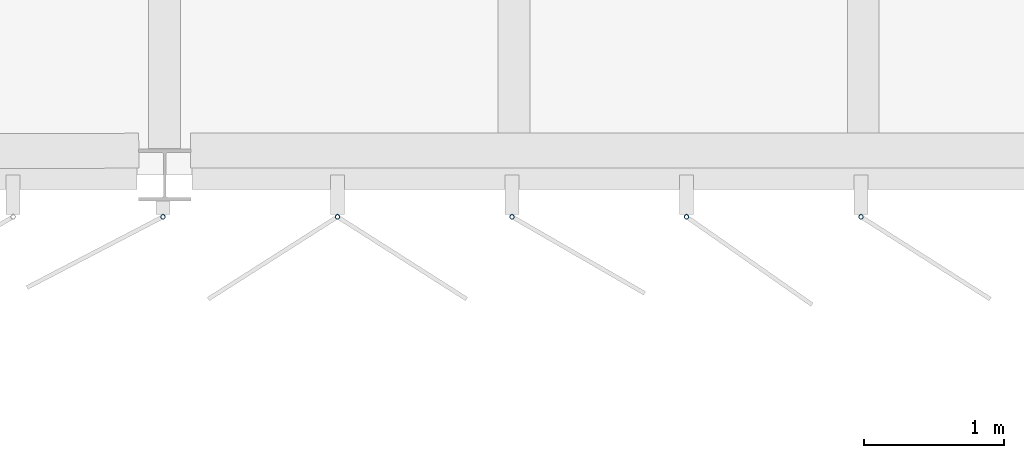
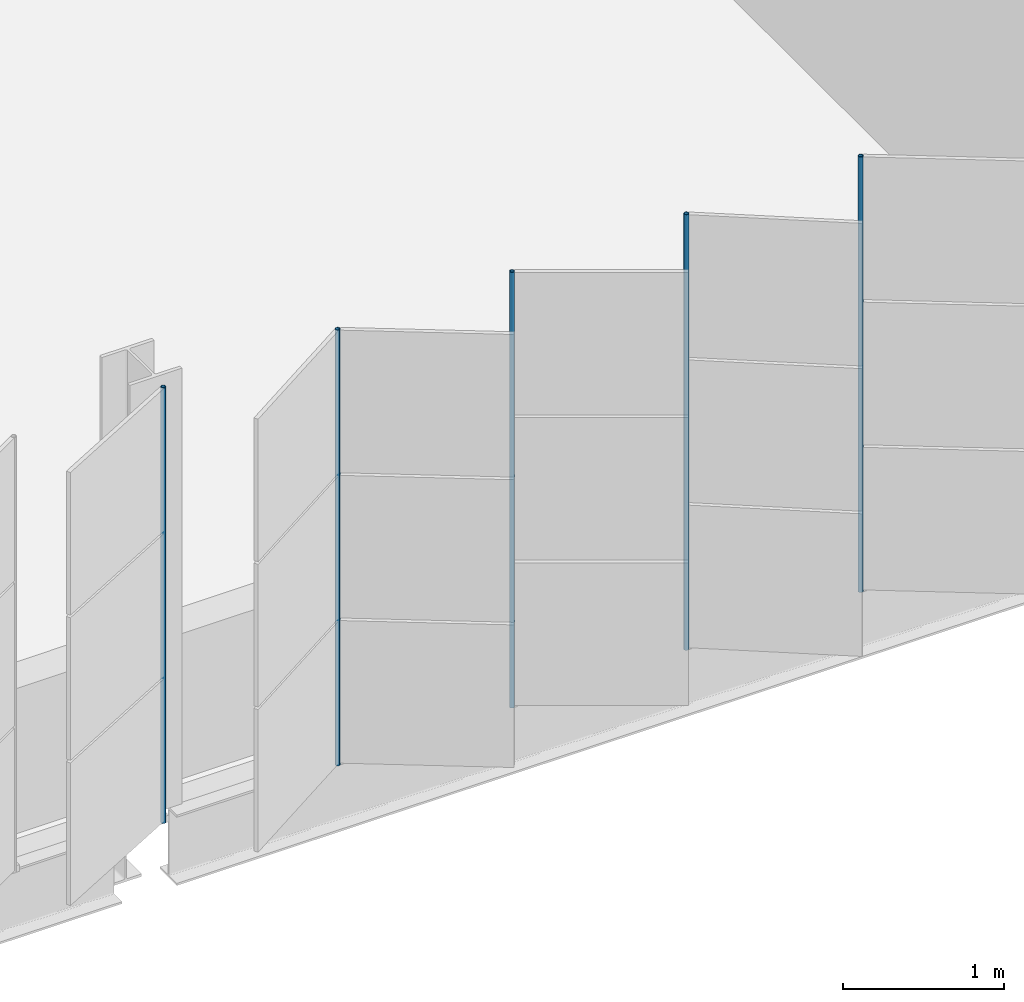
# One storey, part 91 of 214: 5 discrete accessories.
"""IFC4 building model written with IfcOpenShell, lengths in metres."""

from ifc_helpers import new_model, si_unit, direction, frame, origin, origin_2d, place, context, subcontext, project, spatial, hollow_circle, extrude, material, material_profile, profile_set, type_object, element, save


model = new_model("IFC4")

# Units and contexts
model_context = context("Model", 3, precision=1e-05, world=origin(), true_north=direction((0.0, 1.0)))
body_context = subcontext(model_context, "Body", "Model", "MODEL_VIEW")
ifc_project = project(units=[si_unit("LENGTHUNIT", "METRE"), si_unit("AREAUNIT", "SQUARE_METRE"), si_unit("VOLUMEUNIT", "CUBIC_METRE"), si_unit("PLANEANGLEUNIT", "RADIAN"), si_unit("MASSUNIT", "GRAM", prefix="KILO")], contexts=[model_context])

# Site, building, storey
site_placement = place(None, origin())
site = spatial("IfcSite", under=ifc_project, at=site_placement, CompositionType="ELEMENT")
building_placement = place(site_placement, origin())
building = spatial("IfcBuilding", under=site, at=building_placement, Name="Parallax Yard Mobility Hub", CompositionType="ELEMENT")
storey_placement = place(building_placement, frame((0.0, 0.0, 3.300048828125)))
storey = spatial("IfcBuildingStorey", under=building, at=storey_placement, Name="L01", CompositionType="ELEMENT", Elevation=3.300048828125)

# Discrete accessories
ifc_material = material(Name="Steel ASTM A500 Gr C, hot-dip galvanised", Category="steel")
ifc_material_profile = material_profile(ifc_material, hollow_circle(Radius=0.016845703125, WallThickness=0.003173828125, at=origin_2d()), Name="CHS 33.7x3.2")
ifc_profile_set = profile_set([ifc_material_profile], Name="Steel ASTM A500 Gr C, hot-dip galvanised")
discrete_accessory_type = type_object("IfcDiscreteAccessoryType", Name="Hinge post CHS 33.7x3.2", PredefinedType="BRACKET", material=ifc_profile_set)
for number, where, z_axis, x_axis, name in (
    (1, (59.9873046875, 112.199951171875, 0.0), (0.0, 0.0, 1.0), (1.0, 0.0, 0.0), "Hinge post bay 5.1 level L01"),
    (2, (61.236572265625, 112.199951171875, 0.0), (0.0, 0.0, 1.0), (1.0, 0.0, 0.0), "Hinge post bay 5.2 level L01"),
    (3, (62.48583984375, 112.199951171875, 0.0), (0.0, 0.0, 1.0), (1.0, 0.0, 0.0), "Hinge post bay 5.3 level L01"),
    (4, (63.735107421875, 112.199951171875, 0.0), (0.0, 0.0, 1.0), (1.0, 0.0, 0.0), "Hinge post bay 5.4 level L01"),
    (5, (64.984375, 112.199951171875, 0.0), (0.0, 0.0, 1.0), (1.0, 0.0, 0.0), "Hinge post bay 5.5 level L01"),
):
    element("IfcDiscreteAccessory", number, at=place(storey_placement, frame(where, z_axis=z_axis, x_axis=x_axis)), inside=storey, type_object=discrete_accessory_type, Name=name, PredefinedType="BRACKET", context=body_context, shape_type="SweptSolid", body=[
        extrude(hollow_circle(Radius=0.016845703125, WallThickness=0.003173828125, at=origin_2d()), origin(), (0.0, 0.0, 1.0), 3.300048828125),
    ])

save(model, "model.ifc")
